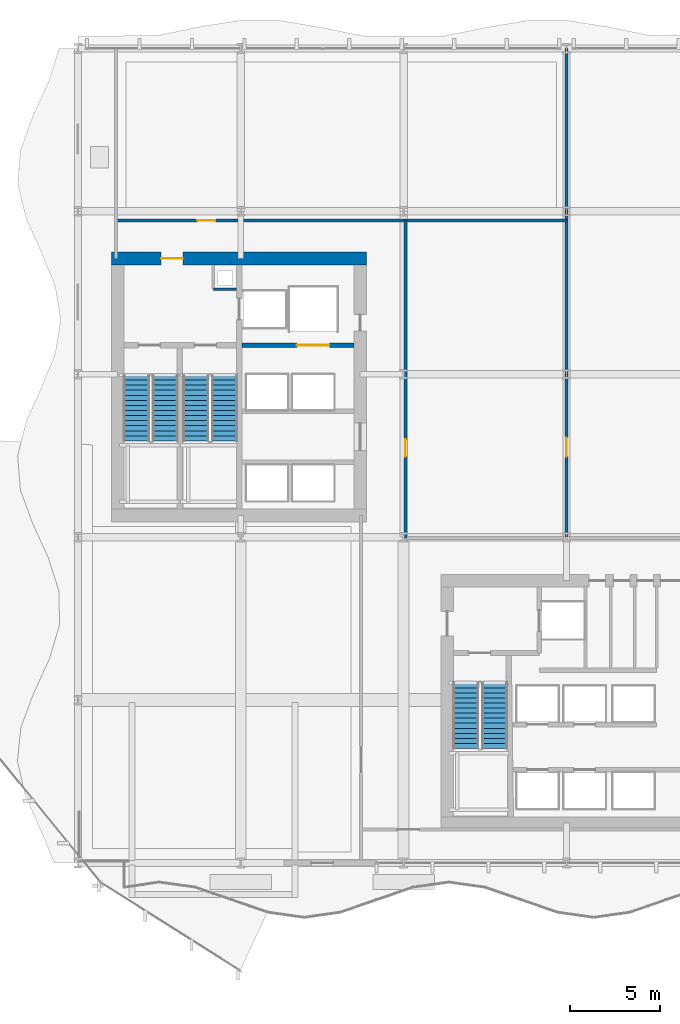
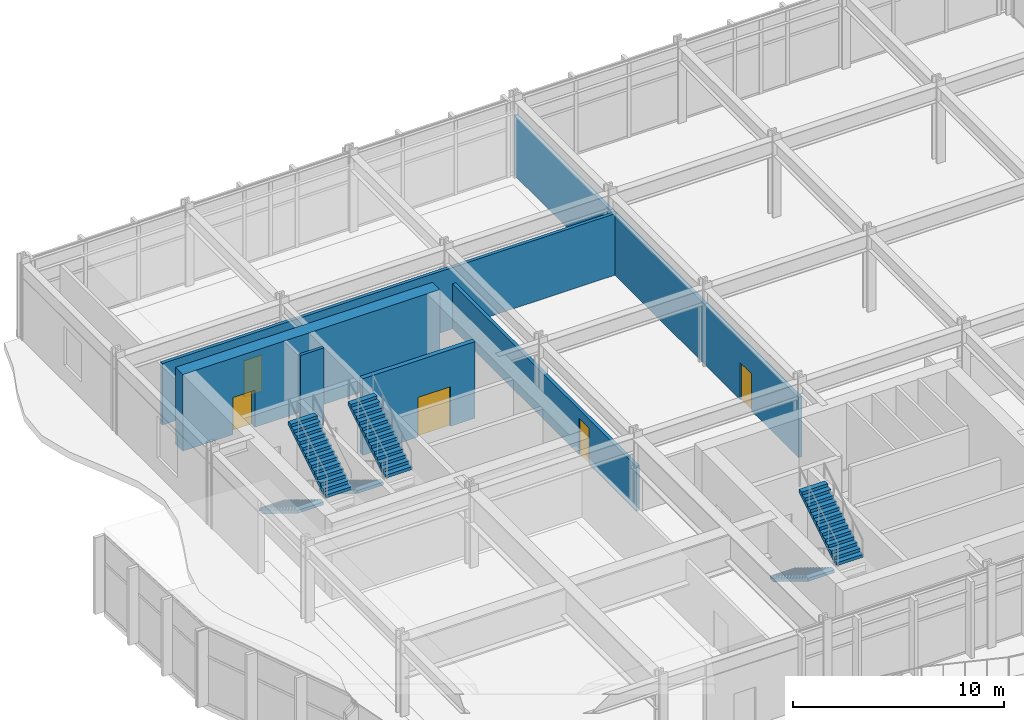
# One storey, part 23 of 31: 6 stair flights, 6 walls, 5 doors, 5 openings, 3 elements without a shape of their own.
"""IFC4 building model written with IfcOpenShell, lengths in metres."""

from ifc_helpers import new_model, si_unit, direction, frame, frame_2d, origin, place, context, subcontext, project, spatial, polyline, rectangle, outline, extrude, material, layer, layer_set, type_object, element, fill, aggregate, save


model = new_model("IFC4")

# Units and contexts
model_context = context("Model", 3, precision=1e-05, world=origin(), true_north=direction((0.0, 1.0)))
body_context = subcontext(model_context, "Body", "Model", "MODEL_VIEW")
ifc_project = project(units=[si_unit("LENGTHUNIT", "METRE"), si_unit("AREAUNIT", "SQUARE_METRE"), si_unit("VOLUMEUNIT", "CUBIC_METRE"), si_unit("PLANEANGLEUNIT", "RADIAN"), si_unit("MASSUNIT", "GRAM", prefix="KILO")], contexts=[model_context])

# Site, building, storey
site_placement = place(None, origin())
site = spatial("IfcSite", under=ifc_project, at=site_placement, CompositionType="ELEMENT")
building_placement = place(site_placement, origin())
building = spatial("IfcBuilding", under=site, at=building_placement, Name="Solvaryn Broadcast Tower", CompositionType="ELEMENT")
storey_placement = place(building_placement, frame((0.0, 0.0, 26.0)))
storey = spatial("IfcBuildingStorey", under=building, at=storey_placement, Name="L05", CompositionType="ELEMENT", Elevation=26.0)

# Wall, opening, door
ifc_material_1 = material(Name="Concrete f'c 70 MPa", Category="concrete")
ifc_layer_1 = layer(ifc_material_1, 0.699951171875)
ifc_layer_set_1 = layer_set([ifc_layer_1], Name="CW-SHEAR-700")
wall_type_1 = type_object("IfcWallType", Name="CW-SHEAR-700", PredefinedType="SHEAR", material=ifc_layer_set_1)
wall_1_placement = place(storey_placement, frame((24.949951171875, 42.39990234375, 0.0), z_axis=(0.0, 0.0, 1.0), x_axis=(-1.0, 0.0, 0.0)))
wall_1 = element("IfcWall", 1, at=wall_1_placement, inside=storey, type_object=wall_type_1, Name="L05 West Core North Shear Wall", PredefinedType="SHEAR", context=body_context, shape_type="SweptSolid", body=[
    extrude(rectangle(XDim=14.099853515625, YDim=0.699951171875, at=frame_2d((7.0498046875, 0.0))), origin(), (0.0, 0.0, 1.0), 4.43994140625),
])
opening_1_placement = place(wall_1_placement, frame((10.14990234375, 0.0, 0.0)))
opening_1 = element("IfcOpeningElement", 2, at=opening_1_placement, cuts=wall_1, Name="Opening FD90A", PredefinedType="OPENING", context=body_context, shape_type="SweptSolid", body=[
    extrude(rectangle(XDim=1.199951171875, YDim=2.14990234375, at=frame_2d((0.60009765625, 1.074951171875))), frame((0.0, 0.360107421875, 0.0), z_axis=(0.0, -1.0, 0.0), x_axis=(1.0, 0.0, 0.0)), (0.0, 0.0, 1.0), 0.719970703125),
])
ifc_material_2 = material(Name="Flush Acoustic Steel and Timber Door Assembly", Category="steel")
door_type_1 = type_object("IfcDoorType", Name="FD90-STAIR-1200X2150", OperationType="NOTDEFINED", PredefinedType="DOOR", material=ifc_material_2)
door_1_placement = place(opening_1_placement, origin())
door_1 = element("IfcDoor", 3, at=door_1_placement, inside=storey, type_object=door_type_1, Name="L05 West FSAE Lobby Corridor Door", OperationType="SINGLE_SWING_LEFT", OverallHeight=2.14990234375, OverallWidth=1.199951171875, PredefinedType="DOOR", context=body_context, shape_type="SweptSolid", body=[
    extrude(rectangle(XDim=1.199951171875, YDim=2.14990234375, at=frame_2d((0.60009765625, 1.074951171875))), frame((0.0, 0.02490234375, 0.0), z_axis=(0.0, -1.0, 0.0), x_axis=(1.0, 0.0, 0.0)), (0.0, 0.0, 1.0), 0.050048828125),
])
fill(opening_1, door_1)

# Wall
ifc_material_3 = material(Name="Metal-Stud Service Core Partition")
ifc_layer_2 = layer(ifc_material_3, 0.14990234375)
ifc_layer_set_2 = layer_set([ifc_layer_2], Name="IW-PART-150")
wall_type_2 = type_object("IfcWallType", Name="IW-PART-150", PredefinedType="PARTITIONING", material=ifc_layer_set_2)
wall_2_placement = place(storey_placement, frame((16.47998046875, 40.699951171875, 0.0), z_axis=(0.0, 0.0, 1.0), x_axis=(1.0, 0.0, 0.0)))
element("IfcWall", 4, at=wall_2_placement, inside=storey, type_object=wall_type_2, Name="L05 West Core Riser Shaft South Wall", PredefinedType="PARTITIONING", context=body_context, shape_type="SweptSolid", body=[
    extrude(rectangle(XDim=1.2900390625, YDim=0.14990234375, at=frame_2d((0.64501953125, 0.0))), origin(), (0.0, 0.0, 1.0), 4.43994140625),
])

# Wall, opening, door
ifc_material_4 = material(Name="Acoustic Metal-Stud Gypsum Partition")
ifc_layer_3 = layer(ifc_material_4, 0.179931640625)
ifc_layer_set_3 = layer_set([ifc_layer_3], Name="IW-PART-180")
wall_type_3 = type_object("IfcWallType", Name="IW-PART-180", PredefinedType="PARTITIONING", material=ifc_layer_set_3)
wall_3_placement = place(storey_placement, frame((27.10009765625, 26.949951171875, 0.0), z_axis=(0.0, 0.0, 1.0), x_axis=(0.0, 1.0, 0.0)))
wall_3 = element("IfcWall", 5, at=wall_3_placement, inside=storey, type_object=wall_type_3, Name="L05 Interior Partition IW-L05-PW6", PredefinedType="PARTITIONING", context=body_context, shape_type="SweptSolid", body=[
    extrude(rectangle(XDim=17.550048828125, YDim=0.179931640625, at=frame_2d((8.77490234375, 0.0))), origin(), (0.0, 0.0, 1.0), 2.6201171875),
])
opening_2_placement = place(wall_3_placement, frame((4.5, 0.0, 0.0)))
opening_2 = element("IfcOpeningElement", 6, at=opening_2_placement, cuts=wall_3, Name="Opening ID01", PredefinedType="OPENING", context=body_context, shape_type="SweptSolid", body=[
    extrude(rectangle(XDim=0.949951171875, YDim=2.10009765625, at=frame_2d((0.47509765625, 1.050048828125))), frame((0.0, 0.099853515625, 0.0), z_axis=(0.0, -1.0, 0.0), x_axis=(1.0, 0.0, 0.0)), (0.0, 0.0, 1.0), 0.199951171875),
])
ifc_material_5 = material(Name="Flush Acoustic Steel and Timber Door Assembly", Category="steel")
door_type_2 = type_object("IfcDoorType", Name="ID-01-950X2100", OperationType="NOTDEFINED", PredefinedType="DOOR", material=ifc_material_5)
door_2_placement = place(opening_2_placement, origin())
door_2 = element("IfcDoor", 7, at=door_2_placement, inside=storey, type_object=door_type_2, Name="L05 Door DR-L05-PD4", OperationType="SINGLE_SWING_RIGHT", OverallHeight=2.10009765625, OverallWidth=0.949951171875, PredefinedType="DOOR", context=body_context, shape_type="SweptSolid", body=[
    extrude(rectangle(XDim=0.949951171875, YDim=2.10009765625, at=frame_2d((0.47509765625, 1.050048828125))), frame((0.0, 0.02490234375, 0.0), z_axis=(0.0, -1.0, 0.0), x_axis=(1.0, 0.0, 0.0)), (0.0, 0.0, 1.0), 0.050048828125),
])
fill(opening_2, door_2)

wall_4_placement = place(storey_placement, frame((11.10009765625, 44.5, 0.0), z_axis=(0.0, 0.0, 1.0), x_axis=(1.0, 0.0, 0.0)))
wall_4 = element("IfcWall", 8, at=wall_4_placement, inside=storey, type_object=wall_type_3, Name="L05 Interior Partition IW-L05-PW7", PredefinedType="PARTITIONING", context=body_context, shape_type="SweptSolid", body=[
    extrude(rectangle(XDim=24.89990234375, YDim=0.179931640625, at=frame_2d((12.449951171875, 0.0))), origin(), (0.0, 0.0, 1.0), 3.56494140625),
])
opening_3_placement = place(wall_4_placement, frame((4.5, 0.0, 0.0)))
opening_3 = element("IfcOpeningElement", 9, at=opening_3_placement, cuts=wall_4, Name="Opening ID02", PredefinedType="OPENING", context=body_context, shape_type="SweptSolid", body=[
    extrude(rectangle(XDim=1.0, YDim=2.10009765625, at=frame_2d((0.5, 1.050048828125))), frame((0.0, 0.099853515625, 0.0), z_axis=(0.0, -1.0, 0.0), x_axis=(1.0, 0.0, 0.0)), (0.0, 0.0, 1.0), 0.199951171875),
])
ifc_material_6 = material(Name="Flush Acoustic Steel and Timber Door Assembly", Category="steel")
door_type_3 = type_object("IfcDoorType", Name="ID-02-1000X2100", OperationType="NOTDEFINED", PredefinedType="DOOR", material=ifc_material_6)
door_3_placement = place(opening_3_placement, origin())
door_3 = element("IfcDoor", 10, at=door_3_placement, inside=storey, type_object=door_type_3, Name="L05 Door DR-L05-PD5", OperationType="SINGLE_SWING_LEFT", OverallHeight=2.10009765625, OverallWidth=1.0, PredefinedType="DOOR", context=body_context, shape_type="SweptSolid", body=[
    extrude(rectangle(XDim=1.0, YDim=2.10009765625, at=frame_2d((0.5, 1.050048828125))), frame((0.0, 0.02490234375, 0.0), z_axis=(0.0, -1.0, 0.0), x_axis=(1.0, 0.0, 0.0)), (0.0, 0.0, 1.0), 0.050048828125),
])
fill(opening_3, door_3)

wall_5_placement = place(storey_placement, frame((36.0, 26.949951171875, 0.0), z_axis=(0.0, 0.0, 1.0), x_axis=(0.0, 1.0, 0.0)))
wall_5 = element("IfcWall", 11, at=wall_5_placement, inside=storey, type_object=wall_type_3, Name="L05 Interior Partition IW-L05-PW8", PredefinedType="PARTITIONING", context=body_context, shape_type="SweptSolid", body=[
    extrude(rectangle(XDim=27.050048828125, YDim=0.179931640625, at=frame_2d((13.52490234375, 0.0))), origin(), (0.0, 0.0, 1.0), 3.492919921875),
])
opening_4_placement = place(wall_5_placement, frame((4.5, 0.0, 0.0)))
opening_4 = element("IfcOpeningElement", 12, at=opening_4_placement, cuts=wall_5, Name="Opening ID03", PredefinedType="OPENING", context=body_context, shape_type="SweptSolid", body=[
    extrude(rectangle(XDim=1.050048828125, YDim=2.14990234375, at=frame_2d((0.52490234375, 1.074951171875))), frame((0.0, 0.099853515625, 0.0), z_axis=(0.0, -1.0, 0.0), x_axis=(1.0, 0.0, 0.0)), (0.0, 0.0, 1.0), 0.199951171875),
])
ifc_material_7 = material(Name="Flush Acoustic Steel and Timber Door Assembly", Category="steel")
door_type_4 = type_object("IfcDoorType", Name="ID-03-1050X2150", OperationType="NOTDEFINED", PredefinedType="DOOR", material=ifc_material_7)
door_4_placement = place(opening_4_placement, origin())
door_4 = element("IfcDoor", 13, at=door_4_placement, inside=storey, type_object=door_type_4, Name="L05 Door DR-L05-PD6", OperationType="SINGLE_SWING_RIGHT", OverallHeight=2.14990234375, OverallWidth=1.050048828125, PredefinedType="DOOR", context=body_context, shape_type="SweptSolid", body=[
    extrude(rectangle(XDim=1.050048828125, YDim=2.14990234375, at=frame_2d((0.52490234375, 1.074951171875))), frame((0.0, 0.02490234375, 0.0), z_axis=(0.0, -1.0, 0.0), x_axis=(1.0, 0.0, 0.0)), (0.0, 0.0, 1.0), 0.050048828125),
])
fill(opening_4, door_4)

ifc_material_8 = material(Name="Concrete f'c 60 MPa", Category="concrete")
ifc_layer_4 = layer(ifc_material_8, 0.25)
ifc_layer_set_4 = layer_set([ifc_layer_4], Name="SW-SHAFT-250")
wall_type_4 = type_object("IfcWallType", Name="SW-SHAFT-250", PredefinedType="PARTITIONING", material=ifc_layer_set_4)
wall_6_placement = place(storey_placement, frame((18.070068359375, 37.60009765625, 0.0), z_axis=(0.0, 0.0, 1.0), x_axis=(1.0, 0.0, 0.0)))
wall_6 = element("IfcWall", 14, at=wall_6_placement, inside=storey, type_object=wall_type_4, Name="L05 West Core FSAE Hoistway Front Wall", PredefinedType="PARTITIONING", context=body_context, shape_type="SweptSolid", body=[
    extrude(rectangle(XDim=6.179931640625, YDim=0.25, at=frame_2d((3.08984375, 0.0))), origin(), (0.0, 0.0, 1.0), 4.43994140625),
])
opening_5_placement = place(wall_6_placement, frame((3.030029296875, 0.0, 0.0)))
opening_5 = element("IfcOpeningElement", 15, at=opening_5_placement, cuts=wall_6, Name="Opening LD02", PredefinedType="OPENING", context=body_context, shape_type="SweptSolid", body=[
    extrude(rectangle(XDim=1.800048828125, YDim=2.300048828125, at=frame_2d((0.89990234375, 1.14990234375))), frame((0.0, 0.135009765625, 0.0), z_axis=(0.0, -1.0, 0.0), x_axis=(1.0, 0.0, 0.0)), (0.0, 0.0, 1.0), 0.27001953125),
])
ifc_material_9 = material(Name="Flush Acoustic Steel and Timber Door Assembly", Category="steel")
door_type_5 = type_object("IfcDoorType", Name="LD-FREIGHT-1800X2300", OperationType="NOTDEFINED", PredefinedType="DOOR", material=ifc_material_9)
door_5_placement = place(opening_5_placement, origin())
door_5 = element("IfcDoor", 16, at=door_5_placement, inside=storey, type_object=door_type_5, Name="L05 SV1 Freight Lift Landing Door", OperationType="DOUBLE_DOOR_SLIDING", OverallHeight=2.300048828125, OverallWidth=1.800048828125, PredefinedType="DOOR", context=body_context, shape_type="SweptSolid", body=[
    extrude(rectangle(XDim=1.800048828125, YDim=2.300048828125, at=frame_2d((0.89990234375, 1.14990234375))), frame((0.0, 0.02490234375, 0.0), z_axis=(0.0, -1.0, 0.0), x_axis=(1.0, 0.0, 0.0)), (0.0, 0.0, 1.0), 0.050048828125),
])
fill(opening_5, door_5)

# Stair, stair flights
ifc_material_10 = material(Name="Concrete f'c 60 MPa", Category="concrete")
stair_type = type_object("IfcStairType", Name="ST-CORE", PredefinedType="HALF_TURN_STAIR", material=ifc_material_10)
stair_1_placement = place(storey_placement, origin())
stair_1 = element("IfcStair", 17, at=stair_1_placement, inside=storey, type_object=stair_type, Name="L05 ST1", PredefinedType="HALF_TURN_STAIR")
ifc_material_11 = material(Name="Concrete f'c 60 MPa", Category="concrete")
ifc_layer_5 = layer(ifc_material_11, 0.159912109375)
ifc_layer_set_5 = layer_set([ifc_layer_5], Name="SF-CORE")
stair_flight_type = type_object("IfcStairFlightType", Name="SF-CORE", PredefinedType="STRAIGHT", material=ifc_layer_set_5)
stair_flight_1_placement = place(storey_placement, frame((12.239990234375, 35.9599609375, 0.0), z_axis=(0.0, 0.0, 1.0), x_axis=(0.0, -1.0, 0.0)))
stair_flight_1 = element("IfcStairFlight", 18, at=stair_flight_1_placement, type_object=stair_flight_type, Name="ST1 flight 1", NumberOfRisers=14, NumberOfTreads=13, PredefinedType="STRAIGHT", RiserHeight=0.171428571, TreadLength=0.28, context=body_context, shape_type="SweptSolid", body=[
    extrude(outline(polyline([(0.0, 0.0), (0.0, 0.17138671875), (0.280029296875, 0.17138671875), (0.280029296875, 0.3427734375), (0.56005859375, 0.3427734375), (0.56005859375, 0.514404296875), (0.840087890625, 0.514404296875), (0.840087890625, 0.685791015625), (1.1201171875, 0.685791015625), (1.1201171875, 0.857177734375), (1.39990234375, 0.857177734375), (1.39990234375, 1.028564453125), (1.679931640625, 1.028564453125), (1.679931640625, 1.199951171875), (1.9599609375, 1.199951171875), (1.9599609375, 1.371337890625), (2.239990234375, 1.371337890625), (2.239990234375, 1.54296875), (2.52001953125, 1.54296875), (2.52001953125, 1.71435546875), (2.800048828125, 1.71435546875), (2.800048828125, 1.8857421875), (3.080078125, 1.8857421875), (3.080078125, 2.05712890625), (3.360107421875, 2.05712890625), (3.360107421875, 2.228515625), (3.639892578125, 2.228515625), (3.639892578125, 2.39990234375), (3.639892578125, 2.052734375), (0.287109375, 0.0), (0.0, 0.0)])), frame((0.0, 0.719970703125, 0.0), z_axis=(0.0, -1.0, 0.0), x_axis=(1.0, 0.0, 0.0)), (0.0, 0.0, 1.0), 1.43994140625),
])
stair_flight_2_placement = place(storey_placement, frame((13.830078125, 32.320068359375, 2.39990234375), z_axis=(0.0, 0.0, 1.0), x_axis=(0.0, 1.0, 0.0)))
stair_flight_2 = element("IfcStairFlight", 19, at=stair_flight_2_placement, type_object=stair_flight_type, Name="ST1 flight 2", NumberOfRisers=14, NumberOfTreads=13, PredefinedType="STRAIGHT", RiserHeight=0.171428571, TreadLength=0.28, context=body_context, shape_type="SweptSolid", body=[
    extrude(outline(polyline([(0.0, 0.0), (0.0, 0.17138671875), (0.280029296875, 0.17138671875), (0.280029296875, 0.3427734375), (0.56005859375, 0.3427734375), (0.56005859375, 0.514404296875), (0.840087890625, 0.514404296875), (0.840087890625, 0.685791015625), (1.1201171875, 0.685791015625), (1.1201171875, 0.857177734375), (1.39990234375, 0.857177734375), (1.39990234375, 1.028564453125), (1.679931640625, 1.028564453125), (1.679931640625, 1.199951171875), (1.9599609375, 1.199951171875), (1.9599609375, 1.371337890625), (2.239990234375, 1.371337890625), (2.239990234375, 1.54296875), (2.52001953125, 1.54296875), (2.52001953125, 1.71435546875), (2.800048828125, 1.71435546875), (2.800048828125, 1.8857421875), (3.080078125, 1.8857421875), (3.080078125, 2.05712890625), (3.360107421875, 2.05712890625), (3.360107421875, 2.228515625), (3.639892578125, 2.228515625), (3.639892578125, 2.39990234375), (3.639892578125, 2.052734375), (0.287109375, 0.0), (0.0, 0.0)])), frame((0.0, 0.719970703125, 0.0), z_axis=(0.0, -1.0, 0.0), x_axis=(1.0, 0.0, 0.0)), (0.0, 0.0, 1.0), 1.43994140625),
])
aggregate(stair_1, [stair_flight_1, stair_flight_2])

stair_2_placement = place(storey_placement, origin())
stair_2 = element("IfcStair", 20, at=stair_2_placement, inside=storey, type_object=stair_type, Name="L05 ST2", PredefinedType="HALF_TURN_STAIR")
stair_flight_3_placement = place(storey_placement, frame((15.52001953125, 35.9599609375, 0.0), z_axis=(0.0, 0.0, 1.0), x_axis=(0.0, -1.0, 0.0)))
stair_flight_3 = element("IfcStairFlight", 21, at=stair_flight_3_placement, type_object=stair_flight_type, Name="ST2 flight 1", NumberOfRisers=14, NumberOfTreads=13, PredefinedType="STRAIGHT", RiserHeight=0.171428571, TreadLength=0.28, context=body_context, shape_type="SweptSolid", body=[
    extrude(outline(polyline([(0.0, 0.0), (0.0, 0.17138671875), (0.280029296875, 0.17138671875), (0.280029296875, 0.3427734375), (0.56005859375, 0.3427734375), (0.56005859375, 0.514404296875), (0.840087890625, 0.514404296875), (0.840087890625, 0.685791015625), (1.1201171875, 0.685791015625), (1.1201171875, 0.857177734375), (1.39990234375, 0.857177734375), (1.39990234375, 1.028564453125), (1.679931640625, 1.028564453125), (1.679931640625, 1.199951171875), (1.9599609375, 1.199951171875), (1.9599609375, 1.371337890625), (2.239990234375, 1.371337890625), (2.239990234375, 1.54296875), (2.52001953125, 1.54296875), (2.52001953125, 1.71435546875), (2.800048828125, 1.71435546875), (2.800048828125, 1.8857421875), (3.080078125, 1.8857421875), (3.080078125, 2.05712890625), (3.360107421875, 2.05712890625), (3.360107421875, 2.228515625), (3.639892578125, 2.228515625), (3.639892578125, 2.39990234375), (3.639892578125, 2.052734375), (0.287109375, 0.0), (0.0, 0.0)])), frame((0.0, 0.719970703125, 0.0), z_axis=(0.0, -1.0, 0.0), x_axis=(1.0, 0.0, 0.0)), (0.0, 0.0, 1.0), 1.43994140625),
])
stair_flight_4_placement = place(storey_placement, frame((17.110107421875, 32.320068359375, 2.39990234375), z_axis=(0.0, 0.0, 1.0), x_axis=(0.0, 1.0, 0.0)))
stair_flight_4 = element("IfcStairFlight", 22, at=stair_flight_4_placement, type_object=stair_flight_type, Name="ST2 flight 2", NumberOfRisers=14, NumberOfTreads=13, PredefinedType="STRAIGHT", RiserHeight=0.171428571, TreadLength=0.28, context=body_context, shape_type="SweptSolid", body=[
    extrude(outline(polyline([(0.0, 0.0), (0.0, 0.17138671875), (0.280029296875, 0.17138671875), (0.280029296875, 0.3427734375), (0.56005859375, 0.3427734375), (0.56005859375, 0.514404296875), (0.840087890625, 0.514404296875), (0.840087890625, 0.685791015625), (1.1201171875, 0.685791015625), (1.1201171875, 0.857177734375), (1.39990234375, 0.857177734375), (1.39990234375, 1.028564453125), (1.679931640625, 1.028564453125), (1.679931640625, 1.199951171875), (1.9599609375, 1.199951171875), (1.9599609375, 1.371337890625), (2.239990234375, 1.371337890625), (2.239990234375, 1.54296875), (2.52001953125, 1.54296875), (2.52001953125, 1.71435546875), (2.800048828125, 1.71435546875), (2.800048828125, 1.8857421875), (3.080078125, 1.8857421875), (3.080078125, 2.05712890625), (3.360107421875, 2.05712890625), (3.360107421875, 2.228515625), (3.639892578125, 2.228515625), (3.639892578125, 2.39990234375), (3.639892578125, 2.052734375), (0.287109375, 0.0), (0.0, 0.0)])), frame((0.0, 0.719970703125, 0.0), z_axis=(0.0, -1.0, 0.0), x_axis=(1.0, 0.0, 0.0)), (0.0, 0.0, 1.0), 1.43994140625),
])
aggregate(stair_2, [stair_flight_3, stair_flight_4])

stair_3_placement = place(storey_placement, origin())
stair_3 = element("IfcStair", 23, at=stair_3_placement, inside=storey, type_object=stair_type, Name="L05 ST3", PredefinedType="HALF_TURN_STAIR")
stair_flight_5_placement = place(storey_placement, frame((30.43994140625, 18.9599609375, 0.0), z_axis=(0.0, 0.0, 1.0), x_axis=(0.0, -1.0, 0.0)))
stair_flight_5 = element("IfcStairFlight", 24, at=stair_flight_5_placement, type_object=stair_flight_type, Name="ST3 flight 1", NumberOfRisers=14, NumberOfTreads=13, PredefinedType="STRAIGHT", RiserHeight=0.171428571, TreadLength=0.28, context=body_context, shape_type="SweptSolid", body=[
    extrude(outline(polyline([(0.0, 0.0), (0.0, 0.17138671875), (0.280029296875, 0.17138671875), (0.280029296875, 0.3427734375), (0.56005859375, 0.3427734375), (0.56005859375, 0.514404296875), (0.840087890625, 0.514404296875), (0.840087890625, 0.685791015625), (1.1201171875, 0.685791015625), (1.1201171875, 0.857177734375), (1.39990234375, 0.857177734375), (1.39990234375, 1.028564453125), (1.679931640625, 1.028564453125), (1.679931640625, 1.199951171875), (1.9599609375, 1.199951171875), (1.9599609375, 1.371337890625), (2.239990234375, 1.371337890625), (2.239990234375, 1.54296875), (2.52001953125, 1.54296875), (2.52001953125, 1.71435546875), (2.800048828125, 1.71435546875), (2.800048828125, 1.8857421875), (3.080078125, 1.8857421875), (3.080078125, 2.05712890625), (3.360107421875, 2.05712890625), (3.360107421875, 2.228515625), (3.639892578125, 2.228515625), (3.639892578125, 2.39990234375), (3.639892578125, 2.052734375), (0.287109375, 0.0), (0.0, 0.0)])), frame((0.0, 0.719970703125, 0.0), z_axis=(0.0, -1.0, 0.0), x_axis=(1.0, 0.0, 0.0)), (0.0, 0.0, 1.0), 1.43994140625),
])
stair_flight_6_placement = place(storey_placement, frame((32.030029296875, 15.320068359375, 2.39990234375), z_axis=(0.0, 0.0, 1.0), x_axis=(0.0, 1.0, 0.0)))
stair_flight_6 = element("IfcStairFlight", 25, at=stair_flight_6_placement, type_object=stair_flight_type, Name="ST3 flight 2", NumberOfRisers=14, NumberOfTreads=13, PredefinedType="STRAIGHT", RiserHeight=0.171428571, TreadLength=0.28, context=body_context, shape_type="SweptSolid", body=[
    extrude(outline(polyline([(0.0, 0.0), (0.0, 0.17138671875), (0.280029296875, 0.17138671875), (0.280029296875, 0.3427734375), (0.56005859375, 0.3427734375), (0.56005859375, 0.514404296875), (0.840087890625, 0.514404296875), (0.840087890625, 0.685791015625), (1.1201171875, 0.685791015625), (1.1201171875, 0.857177734375), (1.39990234375, 0.857177734375), (1.39990234375, 1.028564453125), (1.679931640625, 1.028564453125), (1.679931640625, 1.199951171875), (1.9599609375, 1.199951171875), (1.9599609375, 1.371337890625), (2.239990234375, 1.371337890625), (2.239990234375, 1.54296875), (2.52001953125, 1.54296875), (2.52001953125, 1.71435546875), (2.800048828125, 1.71435546875), (2.800048828125, 1.8857421875), (3.080078125, 1.8857421875), (3.080078125, 2.05712890625), (3.360107421875, 2.05712890625), (3.360107421875, 2.228515625), (3.639892578125, 2.228515625), (3.639892578125, 2.39990234375), (3.639892578125, 2.052734375), (0.287109375, 0.0), (0.0, 0.0)])), frame((0.0, 0.719970703125, 0.0), z_axis=(0.0, -1.0, 0.0), x_axis=(1.0, 0.0, 0.0)), (0.0, 0.0, 1.0), 1.43994140625),
])
aggregate(stair_3, [stair_flight_5, stair_flight_6])

save(model, "model.ifc")
